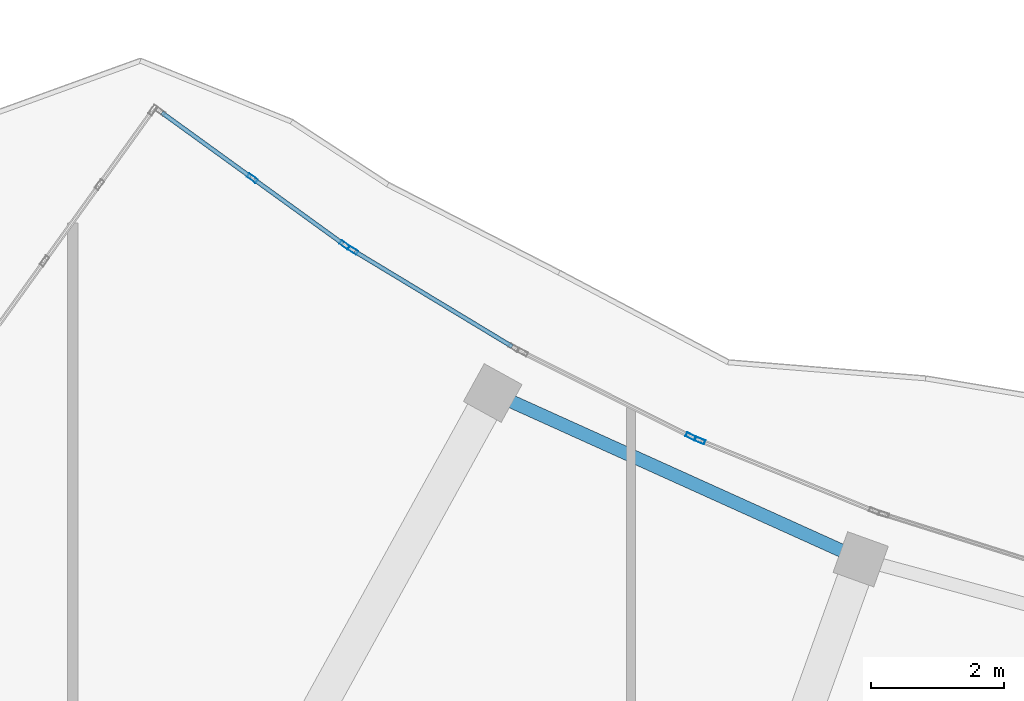
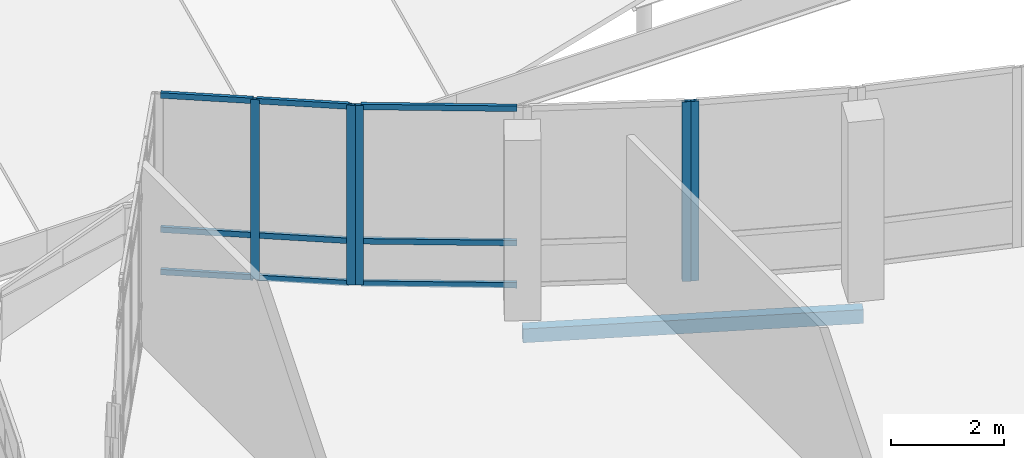
# One storey, part 27 of 184: 14 members, 1 beam, 4 elements without a shape of their own.
"""IFC4 building model written with IfcOpenShell, lengths in metres."""

import ifcopenshell
import ifcopenshell.guid

model = None  # the IFC model being written
_history = None  # IfcOwnerHistory: only IFC2X3 demands one
_inside = {}  # id of a spatial element -> (the spatial element, [elements in it])
_under = {}  # id of a project, library or spatial element -> (it, [spatial elements below it])
_declared = {}  # id of a project -> (the project, [libraries it declares])
_typed = {}  # id of a type object -> (the type object, [elements of that type])
_made_of = {}  # id of a material, layer set ... -> (it, [elements and type objects made of it])


def new_model(schema):
    """Start an empty IFC model of exactly this schema.

    Asked for "IFC4X3", IfcOpenShell would pick the latest addendum, in which some entities
    have other attributes; the version numbers below select the first issue.
    IFC2X3 requires an IfcOwnerHistory on every rooted entity: one is made here for all.
    """
    global model, _history
    if schema == "IFC4X3":
        model = ifcopenshell.file(schema_version=(4, 3, 0, 0))
    else:
        model = ifcopenshell.file(schema=schema)
    _inside.clear()
    _under.clear()
    _declared.clear()
    _typed.clear()
    _made_of.clear()
    _history = None
    if model.schema == "IFC2X3":
        org = make("IfcOrganization", Name="unknown")
        user = make(
            "IfcPersonAndOrganization",
            ThePerson=make("IfcPerson", FamilyName="unknown"),
            TheOrganization=org,
        )
        app = make(
            "IfcApplication",
            ApplicationDeveloper=org,
            Version="unknown",
            ApplicationFullName="unknown",
            ApplicationIdentifier="unknown",
        )
        _history = make(
            "IfcOwnerHistory",
            OwningUser=user,
            OwningApplication=app,
            ChangeAction="ADDED",
            CreationDate=0,
        )
    return model


def make(cls, **values):
    """One entity of the class cls with the attributes given. An attribute that is None is left unset."""
    return model.create_entity(
        cls, **{name: value for name, value in values.items() if value is not None}
    )


def rooted(cls, **values):
    """An entity with a GlobalId (a new one), such as an element, a storey or a relation."""
    return make(cls, GlobalId=ifcopenshell.guid.new(), OwnerHistory=_history, **values)


def si_unit(unit_type, name, prefix=None):
    """IfcSIUnit, for example si_unit("LENGTHUNIT", "METRE", prefix="MILLI")."""
    return make("IfcSIUnit", UnitType=unit_type, Prefix=prefix, Name=name)


def assignment(units):
    """IfcUnitAssignment: the units of a project."""
    return None if units is None else make("IfcUnitAssignment", Units=units)


def point(xyz):
    """IfcCartesianPoint."""
    return None if xyz is None else make("IfcCartesianPoint", Coordinates=xyz)


def direction(xyz):
    """IfcDirection."""
    return None if xyz is None else make("IfcDirection", DirectionRatios=xyz)


def frame(location, z_axis=None, x_axis=None):
    """IfcAxis2Placement3D, a coordinate frame: its origin and axes. An axis left out is left unset."""
    return make(
        "IfcAxis2Placement3D",
        Location=point(location),
        Axis=direction(z_axis),
        RefDirection=direction(x_axis),
    )


def frame_2d(location, x_axis=None):
    """IfcAxis2Placement2D, a coordinate frame in the plane: its origin and x axis."""
    return make(
        "IfcAxis2Placement2D", Location=point(location), RefDirection=direction(x_axis)
    )


def origin():
    """The frame at (0, 0, 0) with its axes left unset."""
    return frame((0.0, 0.0, 0.0))


def origin_2d():
    """The frame at (0, 0) in the plane with its x axis left unset."""
    return frame_2d((0.0, 0.0))


def place(relative_to, where):
    """IfcLocalPlacement: puts the frame where relative to a parent placement (None: the world)."""
    return make(
        "IfcLocalPlacement", PlacementRelTo=relative_to, RelativePlacement=where
    )


def context(
    kind, dimensions, precision=None, world=None, true_north=None, identifier=None
):
    """IfcGeometricRepresentationContext, for example the 3D "Model" context."""
    return make(
        "IfcGeometricRepresentationContext",
        ContextIdentifier=identifier,
        ContextType=kind,
        CoordinateSpaceDimension=dimensions,
        Precision=precision,
        WorldCoordinateSystem=world,
        TrueNorth=true_north,
    )


def subcontext(parent, identifier, kind, view, scale=None):
    """IfcGeometricRepresentationSubContext, for example "Body" below "Model"."""
    return make(
        "IfcGeometricRepresentationSubContext",
        ContextIdentifier=identifier,
        ContextType=kind,
        ParentContext=parent,
        TargetScale=scale,
        TargetView=view,
    )


def project(units=None, contexts=None):
    """IfcProject with its units and contexts."""
    return rooted(
        "IfcProject",
        Name="project",
        RepresentationContexts=contexts,
        UnitsInContext=assignment(units),
    )


def spatial(cls, under=None, at=None, **own):
    """A site, building, storey or space (cls), placed at a placement, below another one or the project."""
    s = rooted(cls, ObjectPlacement=at, **own)
    if under is not None:
        _under.setdefault(under.id(), (under, []))[1].append(s)
    return s


def profile(cls, at=None, kind="AREA", **sizes):
    """A parametric profile (cls). Its sizes go by their IFC names, for example OverallWidth=200.0."""
    return make(cls, ProfileType=kind, Position=at, **sizes)


def hollow_rectangle(**sizes):
    """IfcRectangleHollowProfileDef."""
    return profile("IfcRectangleHollowProfileDef", **sizes)


def extrude(swept, where, along, depth):
    """IfcExtrudedAreaSolid: the profile swept, set in the frame where, extruded along a direction by depth."""
    return make(
        "IfcExtrudedAreaSolid",
        SweptArea=swept,
        Position=where,
        ExtrudedDirection=direction(along),
        Depth=depth,
    )


def shape(context_of_items, identifier, shape_type, items):
    """IfcShapeRepresentation: the items that make up one representation, for example the "Body"."""
    return make(
        "IfcShapeRepresentation",
        ContextOfItems=context_of_items,
        RepresentationIdentifier=identifier,
        RepresentationType=shape_type,
        Items=items,
    )


def material(Name=None, Category=None):
    """IfcMaterial."""
    return make("IfcMaterial", Name=Name, Category=Category)


def material_profile(
    of_material, cross_section, Name=None, Category=None, Priority=None
):
    """IfcMaterialProfile: a cross section and its material."""
    return make(
        "IfcMaterialProfile",
        Name=Name,
        Material=of_material,
        Profile=cross_section,
        Priority=Priority,
        Category=Category,
    )


def profile_set(profiles, Name=None, composite=None):
    """IfcMaterialProfileSet."""
    return make(
        "IfcMaterialProfileSet",
        Name=Name,
        MaterialProfiles=profiles,
        CompositeProfile=composite,
    )


def made_of(thing, what):
    """Note that an element or type object is made of a material, layer set ...; save() writes the relation."""
    if what is not None:
        _made_of.setdefault(what.id(), (what, []))[1].append(thing)
    return thing


def type_object(cls, material=None, **own):
    """A type object (cls), such as IfcWallType, which elements share."""
    return made_of(rooted(cls, **own), material)


def element(
    cls,
    number,
    at=None,
    inside=None,
    cuts=None,
    type_object=None,
    material=None,
    context=None,
    identifier="Body",
    shape_type=None,
    held_by="IfcProductDefinitionShape",
    body=None,
    shapes=None,
    **own,
):
    """One element of the class cls, such as IfcWall. Its Tag is "e" and its number.

    at: its placement. inside: the storey or other place that contains it. cuts: it is an
    opening in that element (IfcRelVoidsElement). A single representation is given by context,
    identifier, shape_type and body (its items); several are given by shapes. held_by: the class
    of the entity that holds the representations. save() writes the other relations.
    """
    e = rooted(cls, Tag="e%d" % number, ObjectPlacement=at, **own)
    if body is not None:
        shapes = [shape(context, identifier, shape_type, body)]
    if shapes is not None:
        e.Representation = make(held_by, Representations=shapes)
    if inside is not None:
        _inside.setdefault(inside.id(), (inside, []))[1].append(e)
    if cuts is not None:
        rooted(
            "IfcRelVoidsElement", RelatingBuildingElement=cuts, RelatedOpeningElement=e
        )
    if type_object is not None:
        _typed.setdefault(type_object.id(), (type_object, []))[1].append(e)
    return made_of(e, material)


def aggregate(whole, parts):
    """IfcRelAggregates: a whole, such as a stair, and the parts it consists of."""
    return rooted("IfcRelAggregates", RelatingObject=whole, RelatedObjects=parts)


def save(model, path):
    """Write the relations noted so far, then the file.

    IfcRelAggregates (storeys below a building ...), IfcRelContainedInSpatialStructure (elements
    in a storey), IfcRelDefinesByType, IfcRelAssociatesMaterial and IfcRelDeclares: one each for
    every whole, place, type object, material and project.
    """
    for whole, parts in _under.values():
        aggregate(whole, parts)
    for where, things in _inside.values():
        rooted(
            "IfcRelContainedInSpatialStructure",
            RelatedElements=things,
            RelatingStructure=where,
        )
    for kind, things in _typed.values():
        rooted("IfcRelDefinesByType", RelatedObjects=things, RelatingType=kind)
    for what, things in _made_of.values():
        rooted("IfcRelAssociatesMaterial", RelatedObjects=things, RelatingMaterial=what)
    for by, libraries in _declared.values():
        rooted("IfcRelDeclares", RelatingContext=by, RelatedDefinitions=libraries)
    model.write(path)


model = new_model("IFC4")

# Units and contexts
model_context = context("Model", 3, precision=1e-05, world=origin(), true_north=direction((0.0, 1.0)))
body_context = subcontext(model_context, "Body", "Model", "MODEL_VIEW")
ifc_project = project(units=[si_unit("LENGTHUNIT", "METRE"), si_unit("AREAUNIT", "SQUARE_METRE"), si_unit("VOLUMEUNIT", "CUBIC_METRE"), si_unit("PLANEANGLEUNIT", "RADIAN"), si_unit("MASSUNIT", "GRAM", prefix="KILO")], contexts=[model_context])

# Site, building, storey
site_placement = place(None, origin())
site = spatial("IfcSite", under=ifc_project, at=site_placement, CompositionType="ELEMENT")
building_placement = place(site_placement, origin())
building = spatial("IfcBuilding", under=site, at=building_placement, Name="Selatvlak General Hospital", CompositionType="ELEMENT")
storey_placement = place(building_placement, frame((0.0, 0.0, 15.0)))
storey = spatial("IfcBuildingStorey", under=building, at=storey_placement, Name="L03", CompositionType="ELEMENT", Elevation=15.0)

# Beam
ifc_material_1 = material(Name="Steel S355", Category="steel")
ifc_material_profile_1 = material_profile(ifc_material_1, hollow_rectangle(XDim=0.199951171875, YDim=0.300048828125, WallThickness=0.011962890625, at=origin_2d()), Name="RHS 300x200x12")
ifc_profile_set_1 = profile_set([ifc_material_profile_1], Name="Steel S355")
beam_type = type_object("IfcBeamType", Name="BM-SP3", PredefinedType="SPANDREL", material=ifc_profile_set_1)
beam_placement = place(storey_placement, frame((37.52099609375, 46.009033203125, -0.489990234375), z_axis=(0.911255847368, -0.411840722413, 0.0), x_axis=(0.411840722413, 0.911255847368, 0.0)))
element("IfcBeam", 1, at=beam_placement, inside=storey, type_object=beam_type, Name="Beam BMR-L03-1476", PredefinedType="SPANDREL", context=body_context, shape_type="SweptSolid", body=[
    extrude(hollow_rectangle(XDim=0.199951171875, YDim=0.300048828125, WallThickness=0.011962890625, at=origin_2d()), origin(), (0.0, 0.0, 1.0), 6.077392578125),
])

# Curtain wall, members
ifc_material_2 = material(Name="Solar-control Low-E double glazing", Category="glass")
curtain_wall_type_1 = type_object("IfcCurtainWallType", Name="CW-CW-02", PredefinedType="USERDEFINED", material=ifc_material_2)
curtain_wall_1_placement = place(storey_placement, origin())
curtain_wall_1 = element("IfcCurtainWall", 2, at=curtain_wall_1_placement, inside=storey, type_object=curtain_wall_type_1, Name="Glazed facade curtain wall CW-L03-0442", ObjectType="UNITISED CURTAIN WALL", PredefinedType="USERDEFINED")
ifc_material_3 = material(Name="Dark anodised aluminium mullion", Category="aluminium")
ifc_material_profile_2 = material_profile(ifc_material_3, hollow_rectangle(XDim=0.06494140625, YDim=0.159912109375, WallThickness=0.00390625, at=origin_2d()), Name="AL-MUL 65x160x4")
ifc_profile_set_2 = profile_set([ifc_material_profile_2], Name="Dark anodised aluminium mullion")
member_type_1 = type_object("IfcMemberType", Name="CWM-01", PredefinedType="MULLION", material=ifc_profile_set_2)
member_1_placement = place(storey_placement, frame((33.903564453125, 49.242431640625, 0.0), z_axis=(0.0, 0.0, 1.0), x_axis=(0.58631560804, 0.810082716622, 0.0)))
member_1 = element("IfcMember", 3, at=member_1_placement, type_object=member_type_1, Name="CW-02 mullion 2", PredefinedType="MULLION", context=body_context, shape_type="SweptSolid", body=[
    extrude(hollow_rectangle(XDim=0.06494140625, YDim=0.159912109375, WallThickness=0.00390625, at=origin_2d()), origin(), (0.0, 0.0, 1.0), 3.89501953125),
])
member_2_placement = place(storey_placement, frame((35.292724609375, 48.237060546875, 0.0), z_axis=(0.0, 0.0, 1.0), x_axis=(0.58631560804, 0.810082716622, 0.0)))
member_2 = element("IfcMember", 4, at=member_2_placement, type_object=member_type_1, Name="CW-02 mullion 3", PredefinedType="MULLION", context=body_context, shape_type="SweptSolid", body=[
    extrude(hollow_rectangle(XDim=0.06494140625, YDim=0.159912109375, WallThickness=0.00390625, at=origin_2d()), origin(), (0.0, 0.0, 1.0), 3.89501953125),
])

# Curtain wall, member
curtain_wall_type_2 = type_object("IfcCurtainWallType", Name="CW-CW-01", PredefinedType="USERDEFINED", material=ifc_material_2)
curtain_wall_2_placement = place(storey_placement, origin())
curtain_wall_2 = element("IfcCurtainWall", 5, at=curtain_wall_2_placement, inside=storey, type_object=curtain_wall_type_2, Name="Glazed facade curtain wall CW-L03-0443", ObjectType="UNITISED CURTAIN WALL", PredefinedType="USERDEFINED")
member_3_placement = place(storey_placement, frame((35.414794921875, 48.158203125, 0.0), z_axis=(0.0, 0.0, 1.0), x_axis=(0.517384094885, 0.85575329293, 0.0)))
member_3 = element("IfcMember", 6, at=member_3_placement, type_object=member_type_1, Name="CW-01 mullion 1", PredefinedType="MULLION", context=body_context, shape_type="SweptSolid", body=[
    extrude(hollow_rectangle(XDim=0.06494140625, YDim=0.159912109375, WallThickness=0.00390625, at=origin_2d()), origin(), (0.0, 0.0, 1.0), 3.89501953125),
])

curtain_wall_3_placement = place(storey_placement, origin())
curtain_wall_3 = element("IfcCurtainWall", 7, at=curtain_wall_3_placement, inside=storey, type_object=curtain_wall_type_1, Name="Glazed facade curtain wall CW-L03-0444", ObjectType="UNITISED CURTAIN WALL", PredefinedType="USERDEFINED")
member_4_placement = place(storey_placement, frame((40.5048828125, 45.353515625, 0.0), z_axis=(0.0, 0.0, 1.0), x_axis=(0.447627060006, 0.894220339262, 0.0)))
member_4 = element("IfcMember", 8, at=member_4_placement, type_object=member_type_1, Name="CW-02 mullion 2", PredefinedType="MULLION", context=body_context, shape_type="SweptSolid", body=[
    extrude(hollow_rectangle(XDim=0.06494140625, YDim=0.159912109375, WallThickness=0.00390625, at=origin_2d()), origin(), (0.0, 0.0, 1.0), 3.89501953125),
])
aggregate(curtain_wall_3, [member_4])

curtain_wall_4_placement = place(storey_placement, origin())
curtain_wall_4 = element("IfcCurtainWall", 9, at=curtain_wall_4_placement, inside=storey, type_object=curtain_wall_type_2, Name="Glazed facade curtain wall CW-L03-0445", ObjectType="UNITISED CURTAIN WALL", PredefinedType="USERDEFINED")
member_5_placement = place(storey_placement, frame((40.63720703125, 45.294921875, 0.0), z_axis=(0.0, 0.0, 1.0), x_axis=(0.374953034584, 0.927043807949, 0.0)))
member_5 = element("IfcMember", 10, at=member_5_placement, type_object=member_type_1, Name="CW-01 mullion 1", PredefinedType="MULLION", context=body_context, shape_type="SweptSolid", body=[
    extrude(hollow_rectangle(XDim=0.06494140625, YDim=0.159912109375, WallThickness=0.00390625, at=origin_2d()), origin(), (0.0, 0.0, 1.0), 3.89501953125),
])
aggregate(curtain_wall_4, [member_5])

# Member
ifc_material_profile_3 = material_profile(ifc_material_3, hollow_rectangle(XDim=0.06494140625, YDim=0.1201171875, WallThickness=0.00390625, at=origin_2d()), Name="AL-TRN 65x120x4")
ifc_profile_set_3 = profile_set([ifc_material_profile_3], Name="Dark anodised aluminium mullion")
member_type_2 = type_object("IfcMemberType", Name="CWT-01", PredefinedType="USERDEFINED", material=ifc_profile_set_3)
member_6_placement = place(storey_placement, frame((32.540771484375, 50.22900390625, 0.032470703125), z_axis=(0.810007561929, -0.586419431481, 0.0), x_axis=(0.586419431481, 0.810007561929, 0.0)))
member_6 = element("IfcMember", 11, at=member_6_placement, type_object=member_type_2, Name="CW-02 transom 1.1", ObjectType="TRANSOM", PredefinedType="USERDEFINED", context=body_context, shape_type="SweptSolid", body=[
    extrude(hollow_rectangle(XDim=0.06494140625, YDim=0.1201171875, WallThickness=0.00390625, at=origin_2d()), origin(), (0.0, 0.0, 1.0), 1.64990234375),
])

member_7_placement = place(storey_placement, frame((32.540771484375, 50.22900390625, 0.949951171875), z_axis=(0.810007561929, -0.586419431481, 0.0), x_axis=(0.586419431481, 0.810007561929, 0.0)))
member_7 = element("IfcMember", 12, at=member_7_placement, type_object=member_type_2, Name="CW-02 transom 1.2", ObjectType="TRANSOM", PredefinedType="USERDEFINED", context=body_context, shape_type="SweptSolid", body=[
    extrude(hollow_rectangle(XDim=0.06494140625, YDim=0.1201171875, WallThickness=0.00390625, at=origin_2d()), origin(), (0.0, 0.0, 1.0), 1.64990234375),
])

member_8_placement = place(storey_placement, frame((32.540771484375, 50.22900390625, 3.862548828125), z_axis=(0.810007561929, -0.586419431481, 0.0), x_axis=(0.586419431481, 0.810007561929, 0.0)))
member_8 = element("IfcMember", 13, at=member_8_placement, type_object=member_type_2, Name="CW-02 transom 1.3", ObjectType="TRANSOM", PredefinedType="USERDEFINED", context=body_context, shape_type="SweptSolid", body=[
    extrude(hollow_rectangle(XDim=0.06494140625, YDim=0.1201171875, WallThickness=0.00390625, at=origin_2d()), origin(), (0.0, 0.0, 1.0), 1.64990234375),
])

member_9_placement = place(storey_placement, frame((33.929931640625, 49.223388671875, 0.032470703125), z_axis=(0.810077850293, -0.586322331542, 0.0), x_axis=(0.586322331542, 0.810077850293, 0.0)))
member_9 = element("IfcMember", 14, at=member_9_placement, type_object=member_type_2, Name="CW-02 transom 2.1", ObjectType="TRANSOM", PredefinedType="USERDEFINED", context=body_context, shape_type="SweptSolid", body=[
    extrude(hollow_rectangle(XDim=0.06494140625, YDim=0.1201171875, WallThickness=0.00390625, at=origin_2d()), origin(), (0.0, 0.0, 1.0), 1.649658203125),
])

member_10_placement = place(storey_placement, frame((33.929931640625, 49.223388671875, 0.949951171875), z_axis=(0.810077850293, -0.586322331542, 0.0), x_axis=(0.586322331542, 0.810077850293, 0.0)))
member_10 = element("IfcMember", 15, at=member_10_placement, type_object=member_type_2, Name="CW-02 transom 2.2", ObjectType="TRANSOM", PredefinedType="USERDEFINED", context=body_context, shape_type="SweptSolid", body=[
    extrude(hollow_rectangle(XDim=0.06494140625, YDim=0.1201171875, WallThickness=0.00390625, at=origin_2d()), origin(), (0.0, 0.0, 1.0), 1.649658203125),
])

member_11_placement = place(storey_placement, frame((33.929931640625, 49.223388671875, 3.862548828125), z_axis=(0.810077850293, -0.586322331542, 0.0), x_axis=(0.586322331542, 0.810077850293, 0.0)))
member_11 = element("IfcMember", 16, at=member_11_placement, type_object=member_type_2, Name="CW-02 transom 2.3", ObjectType="TRANSOM", PredefinedType="USERDEFINED", context=body_context, shape_type="SweptSolid", body=[
    extrude(hollow_rectangle(XDim=0.06494140625, YDim=0.1201171875, WallThickness=0.00390625, at=origin_2d()), origin(), (0.0, 0.0, 1.0), 1.649658203125),
])

aggregate(curtain_wall_1, [member_1, member_2, member_6, member_7, member_8, member_9, member_10, member_11])

member_12_placement = place(storey_placement, frame((35.442626953125, 48.141357421875, 0.032470703125), z_axis=(0.855761034107, -0.517371290762, 0.0), x_axis=(0.517371290762, 0.855761034107, 0.0)))
member_12 = element("IfcMember", 17, at=member_12_placement, type_object=member_type_2, Name="CW-01 transom 1.1", ObjectType="TRANSOM", PredefinedType="USERDEFINED", context=body_context, shape_type="SweptSolid", body=[
    extrude(hollow_rectangle(XDim=0.06494140625, YDim=0.1201171875, WallThickness=0.00390625, at=origin_2d()), origin(), (0.0, 0.0, 1.0), 2.76904296875),
])

member_13_placement = place(storey_placement, frame((35.442626953125, 48.141357421875, 0.949951171875), z_axis=(0.855761034107, -0.517371290762, 0.0), x_axis=(0.517371290762, 0.855761034107, 0.0)))
member_13 = element("IfcMember", 18, at=member_13_placement, type_object=member_type_2, Name="CW-01 transom 1.2", ObjectType="TRANSOM", PredefinedType="USERDEFINED", context=body_context, shape_type="SweptSolid", body=[
    extrude(hollow_rectangle(XDim=0.06494140625, YDim=0.1201171875, WallThickness=0.00390625, at=origin_2d()), origin(), (0.0, 0.0, 1.0), 2.76904296875),
])

member_14_placement = place(storey_placement, frame((35.442626953125, 48.141357421875, 3.862548828125), z_axis=(0.855761034107, -0.517371290762, 0.0), x_axis=(0.517371290762, 0.855761034107, 0.0)))
member_14 = element("IfcMember", 19, at=member_14_placement, type_object=member_type_2, Name="CW-01 transom 1.3", ObjectType="TRANSOM", PredefinedType="USERDEFINED", context=body_context, shape_type="SweptSolid", body=[
    extrude(hollow_rectangle(XDim=0.06494140625, YDim=0.1201171875, WallThickness=0.00390625, at=origin_2d()), origin(), (0.0, 0.0, 1.0), 2.76904296875),
])

aggregate(curtain_wall_2, [member_3, member_12, member_13, member_14])

save(model, "model.ifc")
